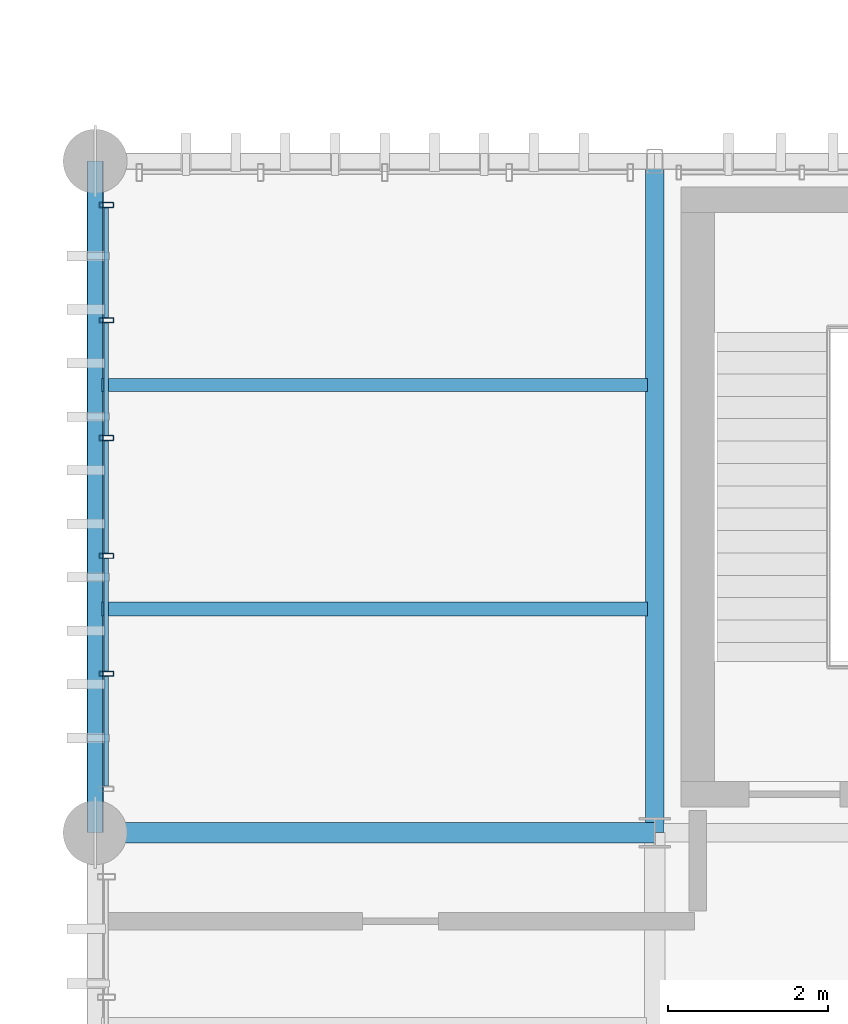
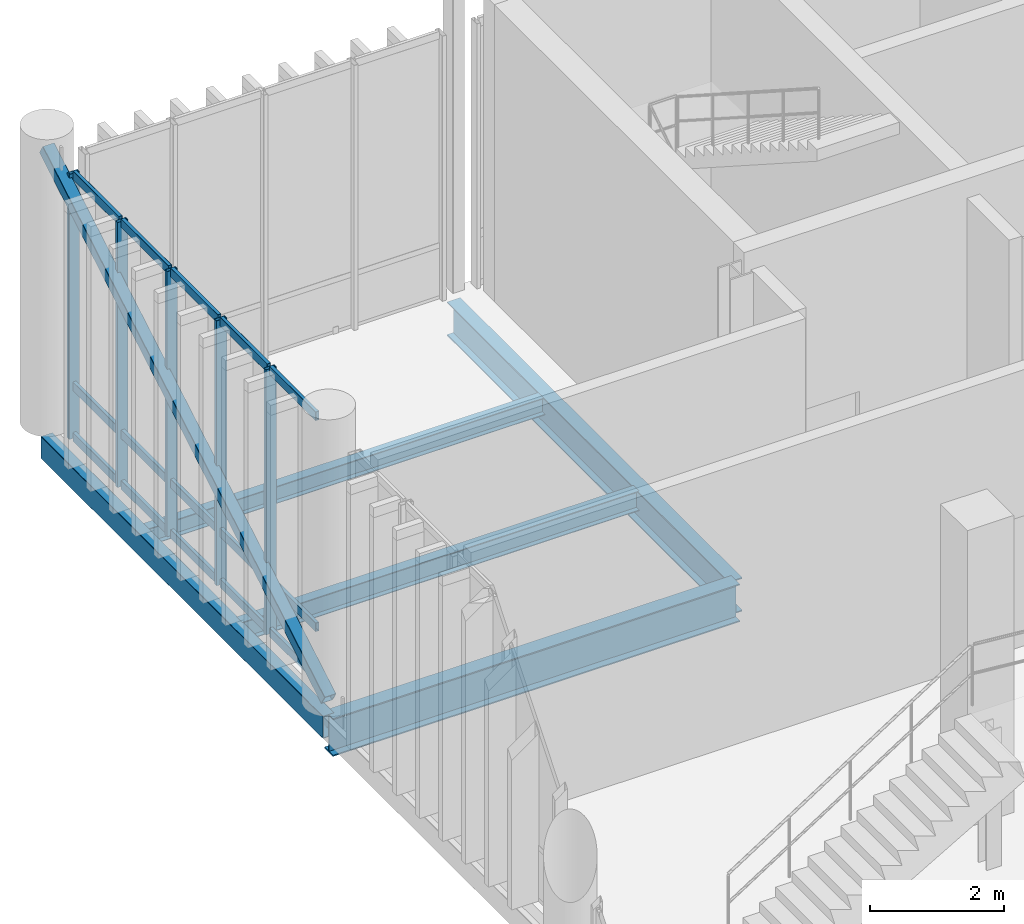
# One storey, part 30 of 128: 21 members, 5 beams, 1 element without a shape of its own.
"""IFC4 building model written with IfcOpenShell, lengths in metres."""

from ifc_helpers import new_model, si_unit, direction, frame, origin_with_axes, origin_2d_with_axis, place, context, subcontext, project, spatial, hollow_rectangle, i_section, extrude, material, material_profile, profile_set, type_object, element, aggregate, save


model = new_model("IFC4")

# Units and contexts
model_context = context("Model", 3, precision=1e-05, world=origin_with_axes(), true_north=direction((0.0, 1.0)))
body_context = subcontext(model_context, "Body", "Model", "MODEL_VIEW")
ifc_project = project(units=[si_unit("LENGTHUNIT", "METRE"), si_unit("AREAUNIT", "SQUARE_METRE"), si_unit("VOLUMEUNIT", "CUBIC_METRE"), si_unit("PLANEANGLEUNIT", "RADIAN"), si_unit("MASSUNIT", "GRAM", prefix="KILO"), si_unit("THERMODYNAMICTEMPERATUREUNIT", "KELVIN")], contexts=[model_context])

# Site, building, storey
site_placement = place(None, origin_with_axes())
site = spatial("IfcSite", under=ifc_project, at=site_placement, CompositionType="ELEMENT")
building_placement = place(site_placement, origin_with_axes())
building = spatial("IfcBuilding", under=site, at=building_placement, Name="Montbau Bow Law Courts", CompositionType="ELEMENT")
storey_placement = place(building_placement, frame((0.0, 0.0, 5.4), z_axis=(0.0, 0.0, 1.0), x_axis=(1.0, 0.0, 0.0)))
storey = spatial("IfcBuildingStorey", under=building, at=storey_placement, Name="L01", CompositionType="ELEMENT", Elevation=5.4)

# Beams
ifc_material_1 = material(Name="Steel CSA G40.21 Grade 350W (350 MPa)", Category="steel")
ifc_material_profile_1 = material_profile(ifc_material_1, i_section(OverallWidth=0.254, OverallDepth=0.688, WebThickness=0.0131, FlangeThickness=0.0211, at=origin_2d_with_axis()), Name="W690X152", Category="Main", Priority=0)
ifc_profile_set_1 = profile_set([ifc_material_profile_1], Name="Steel CSA G40.21 Grade 350W (350 MPa)")
beam_type_1 = type_object("IfcBeamType", Name="B-FLR-04", PredefinedType="BEAM", material=ifc_profile_set_1)
beam_1_placement = place(None, frame((6.8, 46.2, 4.816), z_axis=(1.0, 0.0, 0.0), x_axis=(0.0, 1.0, 0.0)))
element("IfcBeam", 1, at=beam_1_placement, inside=storey, type_object=beam_type_1, Name="BM-L01-S0524:bm2_0527", PredefinedType="BEAM", context=body_context, shape_type="SweptSolid", body=[
    extrude(i_section(OverallWidth=0.254, OverallDepth=0.688, WebThickness=0.0131, FlangeThickness=0.0211, at=origin_2d_with_axis()), origin_with_axes(), (0.0, 0.0, 1.0), 7.0),
])
ifc_material_profile_2 = material_profile(ifc_material_1, i_section(OverallWidth=0.229, OverallDepth=0.612, WebThickness=0.0119, FlangeThickness=0.0196, at=origin_2d_with_axis()), Name="W610X125", Category="Main", Priority=0)
ifc_profile_set_2 = profile_set([ifc_material_profile_2], Name="Steel CSA G40.21 Grade 350W (350 MPa)")
beam_type_2 = type_object("IfcBeamType", Name="B-FLR-05", PredefinedType="BEAM", material=ifc_profile_set_2)
beam_2_placement = place(None, frame((13.8, 46.2, 4.854), z_axis=(0.0, 1.0, 0.0), x_axis=(-1.0, 0.0, 0.0)))
element("IfcBeam", 2, at=beam_2_placement, inside=storey, type_object=beam_type_2, Name="BM-L01-S0538:bm2_0541", PredefinedType="BEAM", context=body_context, shape_type="SweptSolid", body=[
    extrude(i_section(OverallWidth=0.229, OverallDepth=0.612, WebThickness=0.0119, FlangeThickness=0.0196, at=origin_2d_with_axis()), origin_with_axes(), (0.0, 0.0, 1.0), 8.4),
])
ifc_material_profile_3 = material_profile(ifc_material_1, i_section(OverallWidth=0.172, OverallDepth=0.358, WebThickness=0.0079, FlangeThickness=0.0131, at=origin_2d_with_axis()), Name="W360X57", Category="Main", Priority=0)
ifc_profile_set_3 = profile_set([ifc_material_profile_3], Name="Steel CSA G40.21 Grade 350W (350 MPa)")
beam_type_3 = type_object("IfcBeamType", Name="B-JST-03", PredefinedType="JOIST", material=ifc_profile_set_3)
beam_3_placement = place(None, frame((6.88, 49.0, 4.981), z_axis=(1.0, 0.0, 0.0), x_axis=(0.0, 1.0, 0.0)))
element("IfcBeam", 3, at=beam_3_placement, inside=storey, type_object=beam_type_3, Name="JST-L01-S0250:jst2_0250", PredefinedType="JOIST", context=body_context, shape_type="SweptSolid", body=[
    extrude(i_section(OverallWidth=0.172, OverallDepth=0.358, WebThickness=0.0079, FlangeThickness=0.0131, at=origin_2d_with_axis()), origin_with_axes(), (0.0, 0.0, 1.0), 6.83),
])
ifc_material_profile_4 = material_profile(ifc_material_1, i_section(OverallWidth=0.166, OverallDepth=0.313, WebThickness=0.0066, FlangeThickness=0.0112, at=origin_2d_with_axis()), Name="W310X45", Category="Main", Priority=0)
ifc_profile_set_4 = profile_set([ifc_material_profile_4], Name="Steel CSA G40.21 Grade 350W (350 MPa)")
beam_type_4 = type_object("IfcBeamType", Name="B-JST-04", PredefinedType="JOIST", material=ifc_profile_set_4)
beam_4_placement = place(None, frame((6.88, 51.8, 5.003), z_axis=(1.0, 0.0, 0.0), x_axis=(0.0, 1.0, 0.0)))
element("IfcBeam", 4, at=beam_4_placement, inside=storey, type_object=beam_type_4, Name="JST-L01-S0251:jst2_0251", PredefinedType="JOIST", context=body_context, shape_type="SweptSolid", body=[
    extrude(i_section(OverallWidth=0.166, OverallDepth=0.313, WebThickness=0.0066, FlangeThickness=0.0112, at=origin_2d_with_axis()), origin_with_axes(), (0.0, 0.0, 1.0), 6.83),
])
ifc_material_2 = material(Name="Steel CSA G40.21 Grade 350WT (350 MPa)", Category="steel")
ifc_material_profile_5 = material_profile(ifc_material_2, hollow_rectangle(XDim=0.203, YDim=0.406, WallThickness=0.0127, InnerFilletRadius=0.0254, OuterFilletRadius=0.0127, at=origin_2d_with_axis()), Name="HSS406X203X13", Category="Main", Priority=0)
ifc_profile_set_5 = profile_set([ifc_material_profile_5], Name="Steel CSA G40.21 Grade 350WT (350 MPa)")
beam_type_5 = type_object("IfcBeamType", Name="B-SPN-01", PredefinedType="SPANDREL", material=ifc_profile_set_5)
beam_5_placement = place(None, frame((6.8, 46.2, 4.957), z_axis=(0.0, 1.0, 0.0), x_axis=(-1.0, 0.0, 0.0)))
element("IfcBeam", 5, at=beam_5_placement, inside=storey, type_object=beam_type_5, Name="SPN-L01-S0536:bm2_0539", PredefinedType="SPANDREL", context=body_context, shape_type="SweptSolid", body=[
    extrude(hollow_rectangle(XDim=0.203, YDim=0.406, WallThickness=0.0127, InnerFilletRadius=0.0254, OuterFilletRadius=0.0127, at=origin_2d_with_axis()), origin_with_axes(), (0.0, 0.0, 1.0), 8.4),
])

# Member
ifc_material_profile_6 = material_profile(ifc_material_1, hollow_rectangle(XDim=0.203, YDim=0.203, WallThickness=0.0111, InnerFilletRadius=0.0222, OuterFilletRadius=0.0111, at=origin_2d_with_axis()), Name="HSS203X203X11", Category="Main", Priority=0)
ifc_profile_set_6 = profile_set([ifc_material_profile_6], Name="Steel CSA G40.21 Grade 350W (350 MPa)")
member_type_1 = type_object("IfcMemberType", Name="M-BRC-02", PredefinedType="BRACE", material=ifc_profile_set_6)
member_1_placement = place(None, frame((6.8, 46.2, 5.45), z_axis=(0.0, 0.86256972, 0.505938216), x_axis=(-1.0, 0.0, 0.0)))
element("IfcMember", 6, at=member_1_placement, inside=storey, type_object=member_type_1, Name="Diagonal brace CBF-L01-039A", PredefinedType="BRACE", context=body_context, shape_type="SweptSolid", body=[
    extrude(hollow_rectangle(XDim=0.203, YDim=0.203, WallThickness=0.0111, InnerFilletRadius=0.0222, OuterFilletRadius=0.0111, at=origin_2d_with_axis()), origin_with_axes(), (0.0, 0.0, 1.0), 9.738343),
])

# Curtain wall, members
ifc_material_3 = material(Name="Thermally Broken Extruded Aluminium AA 6063-T6", Category="aluminium")
curtain_wall_type = type_object("IfcCurtainWallType", Name="CW-TRC-01", PredefinedType="NOTDEFINED", material=ifc_material_3)
curtain_wall_placement = place(None, frame((6.94, 46.715, 5.4), z_axis=(0.0, 0.0, 1.0), x_axis=(1.0, 0.0, 0.0)))
curtain_wall = element("IfcCurtainWall", 7, at=curtain_wall_placement, inside=storey, type_object=curtain_wall_type, Name="CW-L01-028:cw_0028", PredefinedType="NOTDEFINED")
ifc_material_profile_7 = material_profile(ifc_material_3, hollow_rectangle(XDim=0.065, YDim=0.18, WallThickness=0.005, InnerFilletRadius=0.01, OuterFilletRadius=0.005, at=origin_2d_with_axis()), Name="CWM-180X65", Category="Main", Priority=0)
ifc_profile_set_7 = profile_set([ifc_material_profile_7], Name="Thermally Broken Extruded Aluminium AA 6063-T6")
member_type_2 = type_object("IfcMemberType", Name="M-MUL-02", PredefinedType="MULLION", material=ifc_profile_set_7)
member_2_placement = place(None, frame((6.94, 48.189, 5.4), z_axis=(0.0, 0.0, 1.0), x_axis=(0.0, 1.0, 0.0)))
member_2 = element("IfcMember", 8, at=member_2_placement, type_object=member_type_2, Name="CW-L01-028-M02:cw_0028_M02", PredefinedType="MULLION", context=body_context, shape_type="SweptSolid", body=[
    extrude(hollow_rectangle(XDim=0.065, YDim=0.18, WallThickness=0.005, InnerFilletRadius=0.01, OuterFilletRadius=0.005, at=origin_2d_with_axis()), origin_with_axes(), (0.0, 0.0, 1.0), 4.82),
])
member_3_placement = place(None, frame((6.94, 49.663, 5.4), z_axis=(0.0, 0.0, 1.0), x_axis=(0.0, 1.0, 0.0)))
member_3 = element("IfcMember", 9, at=member_3_placement, type_object=member_type_2, Name="CW-L01-028-M03:cw_0028_M03", PredefinedType="MULLION", context=body_context, shape_type="SweptSolid", body=[
    extrude(hollow_rectangle(XDim=0.065, YDim=0.18, WallThickness=0.005, InnerFilletRadius=0.01, OuterFilletRadius=0.005, at=origin_2d_with_axis()), origin_with_axes(), (0.0, 0.0, 1.0), 4.82),
])
member_4_placement = place(None, frame((6.94, 51.137, 5.4), z_axis=(0.0, 0.0, 1.0), x_axis=(0.0, 1.0, 0.0)))
member_4 = element("IfcMember", 10, at=member_4_placement, type_object=member_type_2, Name="CW-L01-028-M04:cw_0028_M04", PredefinedType="MULLION", context=body_context, shape_type="SweptSolid", body=[
    extrude(hollow_rectangle(XDim=0.065, YDim=0.18, WallThickness=0.005, InnerFilletRadius=0.01, OuterFilletRadius=0.005, at=origin_2d_with_axis()), origin_with_axes(), (0.0, 0.0, 1.0), 4.82),
])
member_5_placement = place(None, frame((6.94, 52.611, 5.4), z_axis=(0.0, 0.0, 1.0), x_axis=(0.0, 1.0, 0.0)))
member_5 = element("IfcMember", 11, at=member_5_placement, type_object=member_type_2, Name="CW-L01-028-M05:cw_0028_M05", PredefinedType="MULLION", context=body_context, shape_type="SweptSolid", body=[
    extrude(hollow_rectangle(XDim=0.065, YDim=0.18, WallThickness=0.005, InnerFilletRadius=0.01, OuterFilletRadius=0.005, at=origin_2d_with_axis()), origin_with_axes(), (0.0, 0.0, 1.0), 4.82),
])
member_6_placement = place(None, frame((6.94, 54.052, 5.4), z_axis=(0.0, 0.0, 1.0), x_axis=(0.0, 1.0, 0.0)))
member_6 = element("IfcMember", 12, at=member_6_placement, type_object=member_type_2, Name="CW-L01-028-M06:cw_0028_M06", PredefinedType="MULLION", context=body_context, shape_type="SweptSolid", body=[
    extrude(hollow_rectangle(XDim=0.065, YDim=0.18, WallThickness=0.005, InnerFilletRadius=0.01, OuterFilletRadius=0.005, at=origin_2d_with_axis()), origin_with_axes(), (0.0, 0.0, 1.0), 4.82),
])
ifc_material_profile_8 = material_profile(ifc_material_3, hollow_rectangle(XDim=0.06, YDim=0.16, WallThickness=0.004, InnerFilletRadius=0.008, OuterFilletRadius=0.004, at=origin_2d_with_axis()), Name="CWT-160X60", Category="Main", Priority=0)
ifc_profile_set_8 = profile_set([ifc_material_profile_8], Name="Thermally Broken Extruded Aluminium AA 6063-T6")
member_type_3 = type_object("IfcMemberType", Name="M-TRN-01", PredefinedType="USERDEFINED", material=ifc_profile_set_8)
member_7_placement = place(None, frame((6.94, 46.783, 5.43), z_axis=(0.0, 1.0, 0.0), x_axis=(-1.0, 0.0, 0.0)))
member_7 = element("IfcMember", 13, at=member_7_placement, type_object=member_type_3, Name="CW-L01-028-T01-1:cw_0028_T01_1", ObjectType="TRANSOM", PredefinedType="USERDEFINED", context=body_context, shape_type="SweptSolid", body=[
    extrude(hollow_rectangle(XDim=0.06, YDim=0.16, WallThickness=0.004, InnerFilletRadius=0.008, OuterFilletRadius=0.004, at=origin_2d_with_axis()), origin_with_axes(), (0.0, 0.0, 1.0), 1.372),
])
member_8_placement = place(None, frame((6.94, 46.783, 6.35), z_axis=(0.0, 1.0, 0.0), x_axis=(-1.0, 0.0, 0.0)))
member_8 = element("IfcMember", 14, at=member_8_placement, type_object=member_type_3, Name="CW-L01-028-T01-2:cw_0028_T01_2", ObjectType="TRANSOM", PredefinedType="USERDEFINED", context=body_context, shape_type="SweptSolid", body=[
    extrude(hollow_rectangle(XDim=0.06, YDim=0.16, WallThickness=0.004, InnerFilletRadius=0.008, OuterFilletRadius=0.004, at=origin_2d_with_axis()), origin_with_axes(), (0.0, 0.0, 1.0), 1.372),
])
member_9_placement = place(None, frame((6.94, 46.783, 10.19), z_axis=(0.0, 1.0, 0.0), x_axis=(-1.0, 0.0, 0.0)))
member_9 = element("IfcMember", 15, at=member_9_placement, type_object=member_type_3, Name="CW-L01-028-T01-3:cw_0028_T01_3", ObjectType="TRANSOM", PredefinedType="USERDEFINED", context=body_context, shape_type="SweptSolid", body=[
    extrude(hollow_rectangle(XDim=0.06, YDim=0.16, WallThickness=0.004, InnerFilletRadius=0.008, OuterFilletRadius=0.004, at=origin_2d_with_axis()), origin_with_axes(), (0.0, 0.0, 1.0), 1.372),
])
member_10_placement = place(None, frame((6.94, 48.223, 5.43), z_axis=(0.0, 1.0, 0.0), x_axis=(-1.0, 0.0, 0.0)))
member_10 = element("IfcMember", 16, at=member_10_placement, type_object=member_type_3, Name="CW-L01-028-T02-1:cw_0028_T02_1", ObjectType="TRANSOM", PredefinedType="USERDEFINED", context=body_context, shape_type="SweptSolid", body=[
    extrude(hollow_rectangle(XDim=0.06, YDim=0.16, WallThickness=0.004, InnerFilletRadius=0.008, OuterFilletRadius=0.004, at=origin_2d_with_axis()), origin_with_axes(), (0.0, 0.0, 1.0), 1.405),
])
member_11_placement = place(None, frame((6.94, 48.223, 6.35), z_axis=(0.0, 1.0, 0.0), x_axis=(-1.0, 0.0, 0.0)))
member_11 = element("IfcMember", 17, at=member_11_placement, type_object=member_type_3, Name="CW-L01-028-T02-2:cw_0028_T02_2", ObjectType="TRANSOM", PredefinedType="USERDEFINED", context=body_context, shape_type="SweptSolid", body=[
    extrude(hollow_rectangle(XDim=0.06, YDim=0.16, WallThickness=0.004, InnerFilletRadius=0.008, OuterFilletRadius=0.004, at=origin_2d_with_axis()), origin_with_axes(), (0.0, 0.0, 1.0), 1.405),
])
member_12_placement = place(None, frame((6.94, 48.223, 10.19), z_axis=(0.0, 1.0, 0.0), x_axis=(-1.0, 0.0, 0.0)))
member_12 = element("IfcMember", 18, at=member_12_placement, type_object=member_type_3, Name="CW-L01-028-T02-3:cw_0028_T02_3", ObjectType="TRANSOM", PredefinedType="USERDEFINED", context=body_context, shape_type="SweptSolid", body=[
    extrude(hollow_rectangle(XDim=0.06, YDim=0.16, WallThickness=0.004, InnerFilletRadius=0.008, OuterFilletRadius=0.004, at=origin_2d_with_axis()), origin_with_axes(), (0.0, 0.0, 1.0), 1.405),
])
member_13_placement = place(None, frame((6.94, 49.697, 5.43), z_axis=(0.0, 1.0, 0.0), x_axis=(-1.0, 0.0, 0.0)))
member_13 = element("IfcMember", 19, at=member_13_placement, type_object=member_type_3, Name="CW-L01-028-T03-1:cw_0028_T03_1", ObjectType="TRANSOM", PredefinedType="USERDEFINED", context=body_context, shape_type="SweptSolid", body=[
    extrude(hollow_rectangle(XDim=0.06, YDim=0.16, WallThickness=0.004, InnerFilletRadius=0.008, OuterFilletRadius=0.004, at=origin_2d_with_axis()), origin_with_axes(), (0.0, 0.0, 1.0), 1.406),
])
member_14_placement = place(None, frame((6.94, 49.697, 6.35), z_axis=(0.0, 1.0, 0.0), x_axis=(-1.0, 0.0, 0.0)))
member_14 = element("IfcMember", 20, at=member_14_placement, type_object=member_type_3, Name="CW-L01-028-T03-2:cw_0028_T03_2", ObjectType="TRANSOM", PredefinedType="USERDEFINED", context=body_context, shape_type="SweptSolid", body=[
    extrude(hollow_rectangle(XDim=0.06, YDim=0.16, WallThickness=0.004, InnerFilletRadius=0.008, OuterFilletRadius=0.004, at=origin_2d_with_axis()), origin_with_axes(), (0.0, 0.0, 1.0), 1.406),
])
member_15_placement = place(None, frame((6.94, 49.697, 10.19), z_axis=(0.0, 1.0, 0.0), x_axis=(-1.0, 0.0, 0.0)))
member_15 = element("IfcMember", 21, at=member_15_placement, type_object=member_type_3, Name="CW-L01-028-T03-3:cw_0028_T03_3", ObjectType="TRANSOM", PredefinedType="USERDEFINED", context=body_context, shape_type="SweptSolid", body=[
    extrude(hollow_rectangle(XDim=0.06, YDim=0.16, WallThickness=0.004, InnerFilletRadius=0.008, OuterFilletRadius=0.004, at=origin_2d_with_axis()), origin_with_axes(), (0.0, 0.0, 1.0), 1.406),
])
member_16_placement = place(None, frame((6.94, 51.171, 5.43), z_axis=(0.0, 1.0, 0.0), x_axis=(-1.0, 0.0, 0.0)))
member_16 = element("IfcMember", 22, at=member_16_placement, type_object=member_type_3, Name="CW-L01-028-T04-1:cw_0028_T04_1", ObjectType="TRANSOM", PredefinedType="USERDEFINED", context=body_context, shape_type="SweptSolid", body=[
    extrude(hollow_rectangle(XDim=0.06, YDim=0.16, WallThickness=0.004, InnerFilletRadius=0.008, OuterFilletRadius=0.004, at=origin_2d_with_axis()), origin_with_axes(), (0.0, 0.0, 1.0), 1.406),
])
member_17_placement = place(None, frame((6.94, 51.171, 6.35), z_axis=(0.0, 1.0, 0.0), x_axis=(-1.0, 0.0, 0.0)))
member_17 = element("IfcMember", 23, at=member_17_placement, type_object=member_type_3, Name="CW-L01-028-T04-2:cw_0028_T04_2", ObjectType="TRANSOM", PredefinedType="USERDEFINED", context=body_context, shape_type="SweptSolid", body=[
    extrude(hollow_rectangle(XDim=0.06, YDim=0.16, WallThickness=0.004, InnerFilletRadius=0.008, OuterFilletRadius=0.004, at=origin_2d_with_axis()), origin_with_axes(), (0.0, 0.0, 1.0), 1.406),
])
member_18_placement = place(None, frame((6.94, 51.171, 10.19), z_axis=(0.0, 1.0, 0.0), x_axis=(-1.0, 0.0, 0.0)))
member_18 = element("IfcMember", 24, at=member_18_placement, type_object=member_type_3, Name="CW-L01-028-T04-3:cw_0028_T04_3", ObjectType="TRANSOM", PredefinedType="USERDEFINED", context=body_context, shape_type="SweptSolid", body=[
    extrude(hollow_rectangle(XDim=0.06, YDim=0.16, WallThickness=0.004, InnerFilletRadius=0.008, OuterFilletRadius=0.004, at=origin_2d_with_axis()), origin_with_axes(), (0.0, 0.0, 1.0), 1.406),
])
member_19_placement = place(None, frame((6.94, 52.645, 5.43), z_axis=(0.0, 1.0, 0.0), x_axis=(-1.0, 0.0, 0.0)))
member_19 = element("IfcMember", 25, at=member_19_placement, type_object=member_type_3, Name="CW-L01-028-T05-1:cw_0028_T05_1", ObjectType="TRANSOM", PredefinedType="USERDEFINED", context=body_context, shape_type="SweptSolid", body=[
    extrude(hollow_rectangle(XDim=0.06, YDim=0.16, WallThickness=0.004, InnerFilletRadius=0.008, OuterFilletRadius=0.004, at=origin_2d_with_axis()), origin_with_axes(), (0.0, 0.0, 1.0), 1.373),
])
member_20_placement = place(None, frame((6.94, 52.645, 6.35), z_axis=(0.0, 1.0, 0.0), x_axis=(-1.0, 0.0, 0.0)))
member_20 = element("IfcMember", 26, at=member_20_placement, type_object=member_type_3, Name="CW-L01-028-T05-2:cw_0028_T05_2", ObjectType="TRANSOM", PredefinedType="USERDEFINED", context=body_context, shape_type="SweptSolid", body=[
    extrude(hollow_rectangle(XDim=0.06, YDim=0.16, WallThickness=0.004, InnerFilletRadius=0.008, OuterFilletRadius=0.004, at=origin_2d_with_axis()), origin_with_axes(), (0.0, 0.0, 1.0), 1.373),
])
member_21_placement = place(None, frame((6.94, 52.645, 10.19), z_axis=(0.0, 1.0, 0.0), x_axis=(-1.0, 0.0, 0.0)))
member_21 = element("IfcMember", 27, at=member_21_placement, type_object=member_type_3, Name="CW-L01-028-T05-3:cw_0028_T05_3", ObjectType="TRANSOM", PredefinedType="USERDEFINED", context=body_context, shape_type="SweptSolid", body=[
    extrude(hollow_rectangle(XDim=0.06, YDim=0.16, WallThickness=0.004, InnerFilletRadius=0.008, OuterFilletRadius=0.004, at=origin_2d_with_axis()), origin_with_axes(), (0.0, 0.0, 1.0), 1.373),
])
aggregate(curtain_wall, [member_2, member_3, member_4, member_5, member_6, member_7, member_8, member_9, member_10, member_11, member_12, member_13, member_14, member_15, member_16, member_17, member_18, member_19, member_20, member_21])

save(model, "model.ifc")
